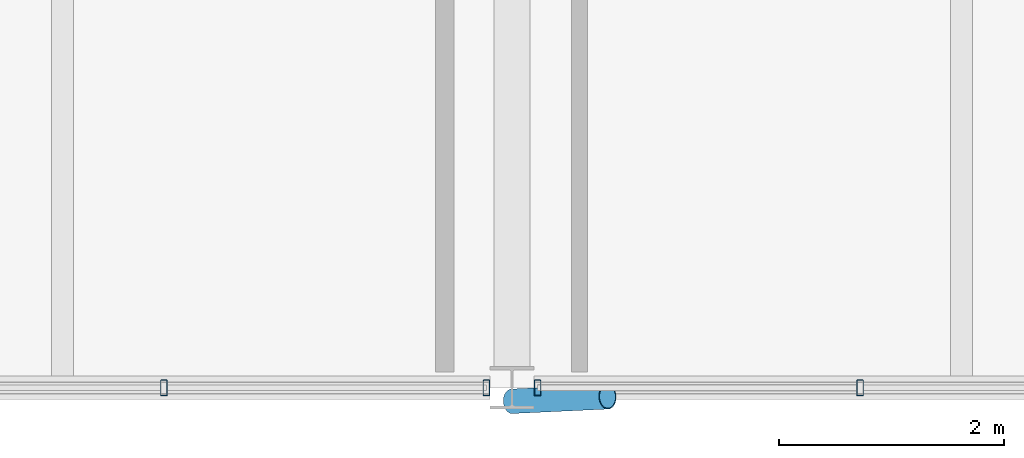
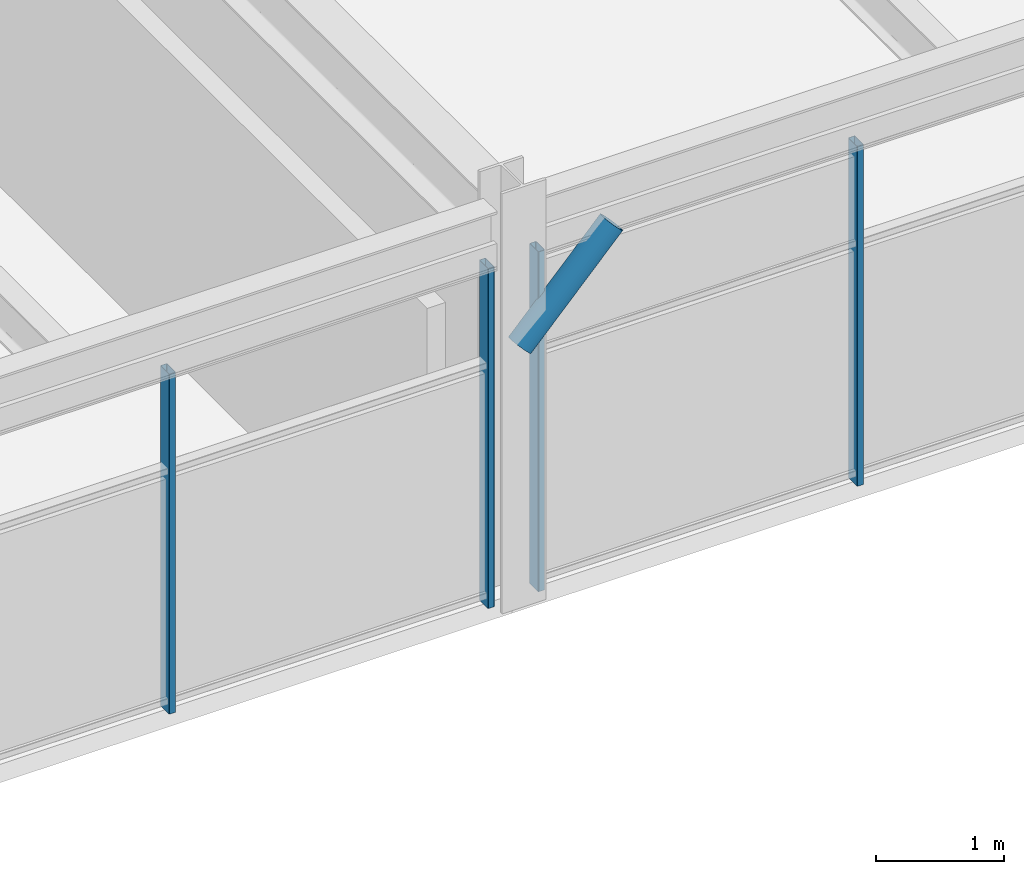
# One storey, part 13 of 52: 5 members, 2 elements without a shape of their own.
"""IFC4 building model written with IfcOpenShell, lengths in metres."""

from ifc_helpers import new_model, si_unit, direction, frame, origin, origin_2d, place, context, subcontext, project, spatial, hollow_rectangle, hollow_circle, extrude, material, material_profile, profile_set, type_object, element, aggregate, save


model = new_model("IFC4")

# Units and contexts
model_context = context("Model", 3, precision=1e-05, world=origin(), true_north=direction((0.0, 1.0)))
body_context = subcontext(model_context, "Body", "Model", "MODEL_VIEW")
ifc_project = project(units=[si_unit("LENGTHUNIT", "METRE"), si_unit("AREAUNIT", "SQUARE_METRE"), si_unit("VOLUMEUNIT", "CUBIC_METRE"), si_unit("PLANEANGLEUNIT", "RADIAN"), si_unit("MASSUNIT", "GRAM", prefix="KILO")], contexts=[model_context])

# Site, building, storey
site_placement = place(None, origin())
site = spatial("IfcSite", under=ifc_project, at=site_placement, CompositionType="ELEMENT")
building_placement = place(site_placement, origin())
building = spatial("IfcBuilding", under=site, at=building_placement, Name="Girod Span Mobility Hub", CompositionType="ELEMENT")
storey_placement = place(building_placement, frame((0.0, 0.0, 45.60009765625)))
storey = spatial("IfcBuildingStorey", under=building, at=storey_placement, Name="L11", CompositionType="ELEMENT", Elevation=45.60009765625)

# Curtain wall, members
ifc_material_1 = material(Name="Thermally Broken Anodised Aluminium", Category="aluminium")
curtain_wall_type = type_object("IfcCurtainWallType", Name="CW-1161X324", PredefinedType="USERDEFINED", material=ifc_material_1)
curtain_wall_1_placement = place(storey_placement, origin())
curtain_wall_1 = element("IfcCurtainWall", 1, at=curtain_wall_1_placement, inside=storey, type_object=curtain_wall_type, Name="Unitised Curtain Wall CW-L11-S05 L11", ObjectType="UNITISED CURTAIN WALL", PredefinedType="USERDEFINED")
ifc_material_2 = material(Name="Thermally Broken Anodised Aluminium", Category="aluminium")
ifc_material_profile_1 = material_profile(ifc_material_2, hollow_rectangle(XDim=0.139892578125, YDim=0.06005859375, WallThickness=0.00341796875, InnerFilletRadius=0.00341796875, OuterFilletRadius=0.007080078125, at=origin_2d()), Name="CW-ML-60X140")
ifc_profile_set_1 = profile_set([ifc_material_profile_1], Name="Thermally Broken Anodised Aluminium")
member_type_1 = type_object("IfcMemberType", Name="CWM-ML-4", PredefinedType="MULLION", material=ifc_profile_set_1)
member_1_placement = place(storey_placement, frame((56.902587890625, 27.0, 0.0), z_axis=(0.0, 0.0, 1.0), x_axis=(0.0, 1.0, 0.0)))
member_1 = element("IfcMember", 2, at=member_1_placement, type_object=member_type_1, Name="Curtain Wall Mullion CW-L11-S05-M3", PredefinedType="MULLION", context=body_context, shape_type="SweptSolid", body=[
    extrude(hollow_rectangle(XDim=0.139892578125, YDim=0.06005859375, WallThickness=0.00341796875, InnerFilletRadius=0.00341796875, OuterFilletRadius=0.007080078125, at=origin_2d()), origin(), (0.0, 0.0, 1.0), 3.23583984375),
])
member_2_placement = place(storey_placement, frame((59.77294921875, 27.0, 0.0), z_axis=(0.0, 0.0, 1.0), x_axis=(0.0, 1.0, 0.0)))
member_2 = element("IfcMember", 3, at=member_2_placement, type_object=member_type_1, Name="Curtain Wall Mullion CW-L11-S05-M4", PredefinedType="MULLION", context=body_context, shape_type="SweptSolid", body=[
    extrude(hollow_rectangle(XDim=0.139892578125, YDim=0.06005859375, WallThickness=0.00341796875, InnerFilletRadius=0.00341796875, OuterFilletRadius=0.007080078125, at=origin_2d()), origin(), (0.0, 0.0, 1.0), 3.23583984375),
])
aggregate(curtain_wall_1, [member_1, member_2])

curtain_wall_2_placement = place(storey_placement, origin())
curtain_wall_2 = element("IfcCurtainWall", 4, at=curtain_wall_2_placement, inside=storey, type_object=curtain_wall_type, Name="Unitised Curtain Wall CW-L11-S06 L11", ObjectType="UNITISED CURTAIN WALL", PredefinedType="USERDEFINED")
member_3_placement = place(storey_placement, frame((60.22705078125, 27.0, 0.0), z_axis=(0.0, 0.0, 1.0), x_axis=(0.0, 1.0, 0.0)))
member_3 = element("IfcMember", 5, at=member_3_placement, type_object=member_type_1, Name="Curtain Wall Mullion CW-L11-S06-M0", PredefinedType="MULLION", context=body_context, shape_type="SweptSolid", body=[
    extrude(hollow_rectangle(XDim=0.139892578125, YDim=0.06005859375, WallThickness=0.00341796875, InnerFilletRadius=0.00341796875, OuterFilletRadius=0.007080078125, at=origin_2d()), origin(), (0.0, 0.0, 1.0), 3.23583984375),
])
member_4_placement = place(storey_placement, frame((63.097412109375, 27.0, 0.0), z_axis=(0.0, 0.0, 1.0), x_axis=(0.0, 1.0, 0.0)))
member_4 = element("IfcMember", 6, at=member_4_placement, type_object=member_type_1, Name="Curtain Wall Mullion CW-L11-S06-M1", PredefinedType="MULLION", context=body_context, shape_type="SweptSolid", body=[
    extrude(hollow_rectangle(XDim=0.139892578125, YDim=0.06005859375, WallThickness=0.00341796875, InnerFilletRadius=0.00341796875, OuterFilletRadius=0.007080078125, at=origin_2d()), origin(), (0.0, 0.0, 1.0), 3.23583984375),
])
aggregate(curtain_wall_2, [member_3, member_4])

# Member
ifc_material_3 = material(Name="Steel HSS A500 Grade C", Category="steel")
ifc_material_profile_2 = material_profile(ifc_material_3, hollow_circle(Radius=0.109619140625, WallThickness=0.0087890625, at=origin_2d()), Name="HSS219X9.5")
ifc_profile_set_2 = profile_set([ifc_material_profile_2], Name="Steel HSS A500 Grade C")
member_type_2 = type_object("IfcMemberType", Name="MB-ST-HSS219", PredefinedType="STRUT", material=ifc_profile_set_2)
member_5_placement = place(storey_placement, frame((60.0, 26.8798828125, 2.449951171875), z_axis=(0.706816330442, 0.033290602583, 0.706613338963), x_axis=(-0.047047213483, 0.998892666758, 0.0)))
element("IfcMember", 7, at=member_5_placement, inside=storey, type_object=member_type_2, Name="Solar Shading Knee Strut 6 L11", PredefinedType="STRUT", context=body_context, shape_type="SweptSolid", body=[
    extrude(hollow_circle(Radius=0.109619140625, WallThickness=0.0087890625, at=origin_2d()), origin(), (0.0, 0.0, 1.0), 1.20263671875),
])

save(model, "model.ifc")
